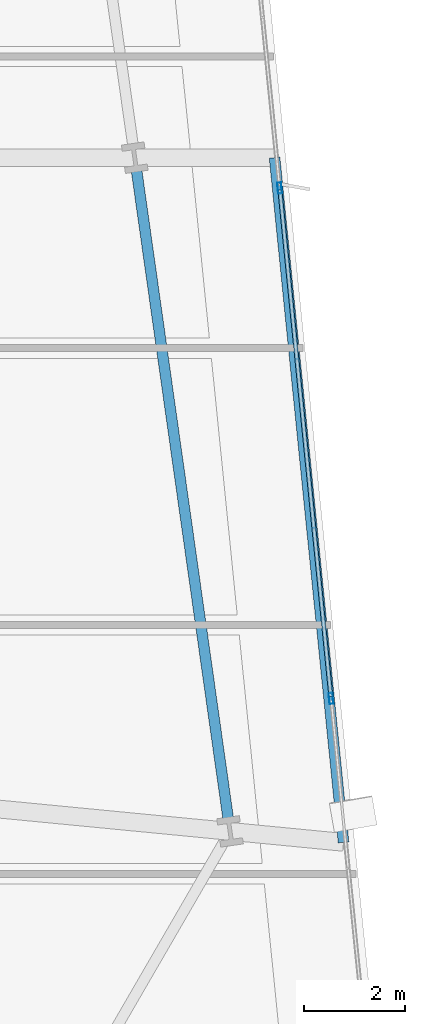
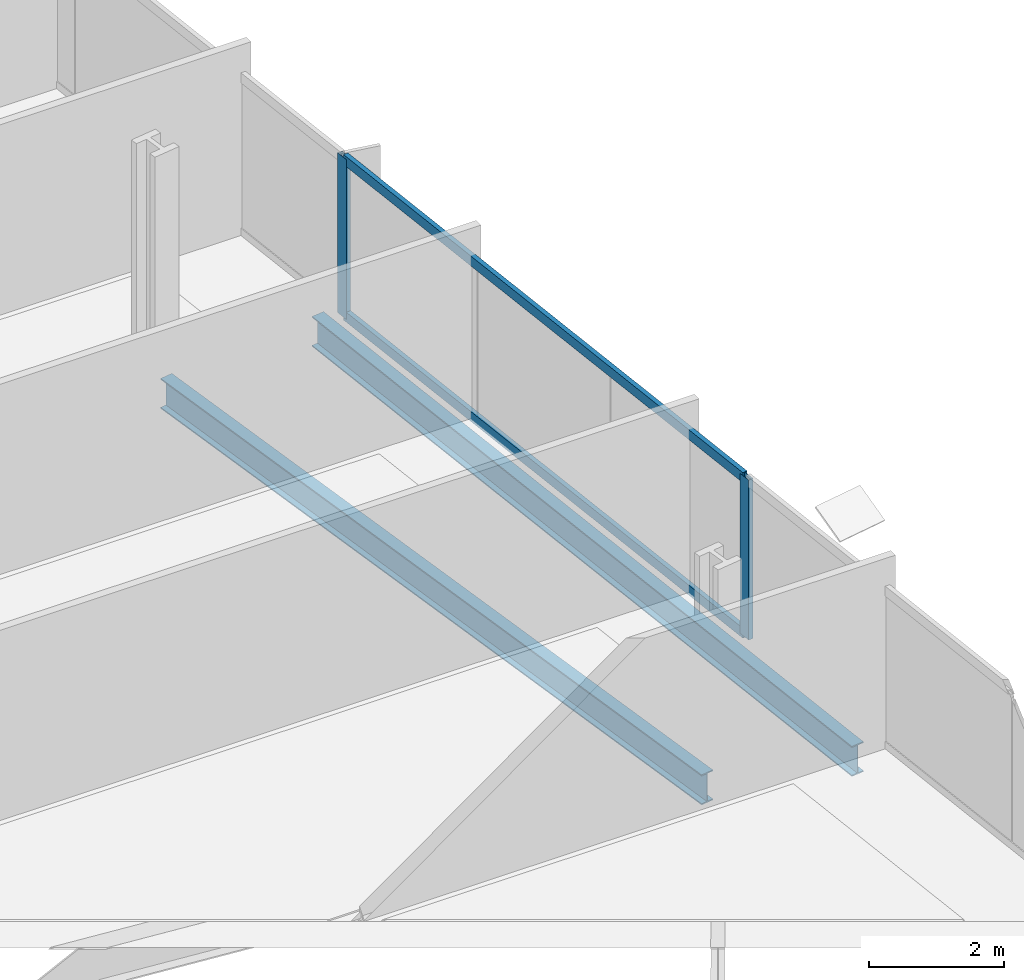
# One storey, part 13 of 33: 4 members, 2 beams, 1 element without a shape of its own.
"""IFC4 building model written with IfcOpenShell, lengths in metres."""

from ifc_helpers import new_model, si_unit, direction, frame, origin, origin_2d, place, context, subcontext, project, spatial, hollow_rectangle, i_section, extrude, material, material_profile, profile_set, type_object, element, aggregate, save


model = new_model("IFC4")

# Units and contexts
model_context = context("Model", 3, precision=1e-05, world=origin(), true_north=direction((0.0, 1.0)))
body_context = subcontext(model_context, "Body", "Model", "MODEL_VIEW")
ifc_project = project(units=[si_unit("LENGTHUNIT", "METRE"), si_unit("AREAUNIT", "SQUARE_METRE"), si_unit("VOLUMEUNIT", "CUBIC_METRE"), si_unit("PLANEANGLEUNIT", "RADIAN"), si_unit("MASSUNIT", "GRAM", prefix="KILO")], contexts=[model_context])

# Site, building, storey
site_placement = place(None, origin())
site = spatial("IfcSite", under=ifc_project, at=site_placement, CompositionType="ELEMENT")
building_placement = place(site_placement, origin())
building = spatial("IfcBuilding", under=site, at=building_placement, Name="Haldenkirk Collegiate Tower", CompositionType="ELEMENT")
storey_placement = place(building_placement, frame((0.0, 0.0, 47.699951171875)))
storey = spatial("IfcBuildingStorey", under=building, at=storey_placement, Name="L10", CompositionType="ELEMENT", Elevation=47.699951171875)

# Beams
ifc_material_1 = material(Name="Steel ASTM A992 Grade 50", Category="steel")
ifc_material_profile_1 = material_profile(ifc_material_1, i_section(OverallWidth=0.2119140625, OverallDepth=0.5439453125, WebThickness=0.01318359375, FlangeThickness=0.021240234375, at=origin_2d()), Name="W21X83")
ifc_profile_set_1 = profile_set([ifc_material_profile_1], Name="Steel ASTM A992 Grade 50")
beam_type = type_object("IfcBeamType", Name="BM-SPANDREL-W21X83", PredefinedType="SPANDREL", material=ifc_profile_set_1)
beam_1_placement = place(storey_placement, frame((61.611083984375, 16.65478515625, -0.58203125), z_axis=(-0.140040904101, 0.990145719164, 0.0), x_axis=(-0.990145719164, -0.140040904101, 0.0)))
element("IfcBeam", 1, at=beam_1_placement, inside=storey, type_object=beam_type, Name="L10 perimeter spandrel beam 06", PredefinedType="SPANDREL", context=body_context, shape_type="SweptSolid", body=[
    extrude(i_section(OverallWidth=0.2119140625, OverallDepth=0.5439453125, WebThickness=0.01318359375, FlangeThickness=0.021240234375, at=origin_2d()), origin(), (0.0, 0.0, 1.0), 13.000244140625),
])
beam_2_placement = place(storey_placement, frame((63.90478515625, 16.17529296875, -0.58203125), z_axis=(-0.100190932848, 0.994968229128, 0.0), x_axis=(-0.994968229128, -0.100190932848, 0.0)))
element("IfcBeam", 2, at=beam_2_placement, inside=storey, type_object=beam_type, Name="L10 outer facade edge beam 2", PredefinedType="SPANDREL", context=body_context, shape_type="SweptSolid", body=[
    extrude(i_section(OverallWidth=0.2119140625, OverallDepth=0.5439453125, WebThickness=0.01318359375, FlangeThickness=0.021240234375, at=origin_2d()), origin(), (0.0, 0.0, 1.0), 13.682373046875),
])

# Curtain wall, members
ifc_material_2 = material(Name="Anodised architectural bronze aluminium", Category="aluminium")
curtain_wall_type = type_object("IfcCurtainWallType", Name="CW-SYS1-CONVEX-LOW", PredefinedType="USERDEFINED", material=ifc_material_2)
curtain_wall_placement = place(storey_placement, origin())
curtain_wall = element("IfcCurtainWall", 3, at=curtain_wall_placement, inside=storey, type_object=curtain_wall_type, Name="L10 Lower tower convex bronze-framed unitised curtain wall", ObjectType="UNITISED CURTAIN WALL", PredefinedType="USERDEFINED")
ifc_material_profile_2 = material_profile(ifc_material_2, hollow_rectangle(XDim=0.080078125, YDim=0.219970703125, WallThickness=0.0048828125, at=origin_2d()), Name="CW-MUL-1A")
ifc_profile_set_2 = profile_set([ifc_material_profile_2], Name="Anodised architectural bronze aluminium")
member_type_1 = type_object("IfcMemberType", Name="CW-MUL-1A", PredefinedType="MULLION", material=ifc_profile_set_2)
member_1_placement = place(storey_placement, frame((62.635009765625, 29.1845703125, 0.0), z_axis=(0.0, 0.0, 1.0), x_axis=(0.99496869257, 0.10018633043, 0.0)))
member_1 = element("IfcMember", 4, at=member_1_placement, type_object=member_type_1, Name="CW-1A mullion 3", PredefinedType="MULLION", context=body_context, shape_type="SweptSolid", body=[
    extrude(hollow_rectangle(XDim=0.080078125, YDim=0.219970703125, WallThickness=0.0048828125, at=origin_2d()), origin(), (0.0, 0.0, 1.0), 2.89111328125),
])
member_2_placement = place(storey_placement, frame((63.656982421875, 19.035888671875, 0.0), z_axis=(0.0, 0.0, 1.0), x_axis=(0.99496869257, 0.10018633043, 0.0)))
member_2 = element("IfcMember", 5, at=member_2_placement, type_object=member_type_1, Name="CW-1A mullion 4", PredefinedType="MULLION", context=body_context, shape_type="SweptSolid", body=[
    extrude(hollow_rectangle(XDim=0.080078125, YDim=0.219970703125, WallThickness=0.0048828125, at=origin_2d()), origin(), (0.0, 0.0, 1.0), 2.89111328125),
])
ifc_material_profile_3 = material_profile(ifc_material_2, hollow_rectangle(XDim=0.080078125, YDim=0.179931640625, WallThickness=0.0048828125, at=origin_2d()), Name="CW-TRN-1A")
ifc_profile_set_3 = profile_set([ifc_material_profile_3], Name="Anodised architectural bronze aluminium")
member_type_2 = type_object("IfcMemberType", Name="CW-TRN-1A", PredefinedType="USERDEFINED", material=ifc_profile_set_3)
member_3_placement = place(storey_placement, frame((62.638916015625, 29.144775390625, 0.0400390625), z_axis=(0.100189214513, -0.994968402159, 0.0), x_axis=(0.994968402159, 0.100189214513, 0.0)))
member_3 = element("IfcMember", 6, at=member_3_placement, type_object=member_type_2, Name="CW-1A transom 3.1", ObjectType="TRANSOM", PredefinedType="USERDEFINED", context=body_context, shape_type="SweptSolid", body=[
    extrude(hollow_rectangle(XDim=0.080078125, YDim=0.179931640625, WallThickness=0.0048828125, at=origin_2d()), origin(), (0.0, 0.0, 1.0), 10.1201171875),
])
member_4_placement = place(storey_placement, frame((62.638916015625, 29.144775390625, 2.85107421875), z_axis=(0.100189214513, -0.994968402159, 0.0), x_axis=(0.994968402159, 0.100189214513, 0.0)))
member_4 = element("IfcMember", 7, at=member_4_placement, type_object=member_type_2, Name="CW-1A transom 3.2", ObjectType="TRANSOM", PredefinedType="USERDEFINED", context=body_context, shape_type="SweptSolid", body=[
    extrude(hollow_rectangle(XDim=0.080078125, YDim=0.179931640625, WallThickness=0.0048828125, at=origin_2d()), origin(), (0.0, 0.0, 1.0), 10.1201171875),
])
aggregate(curtain_wall, [member_1, member_2, member_3, member_4])

save(model, "model.ifc")
